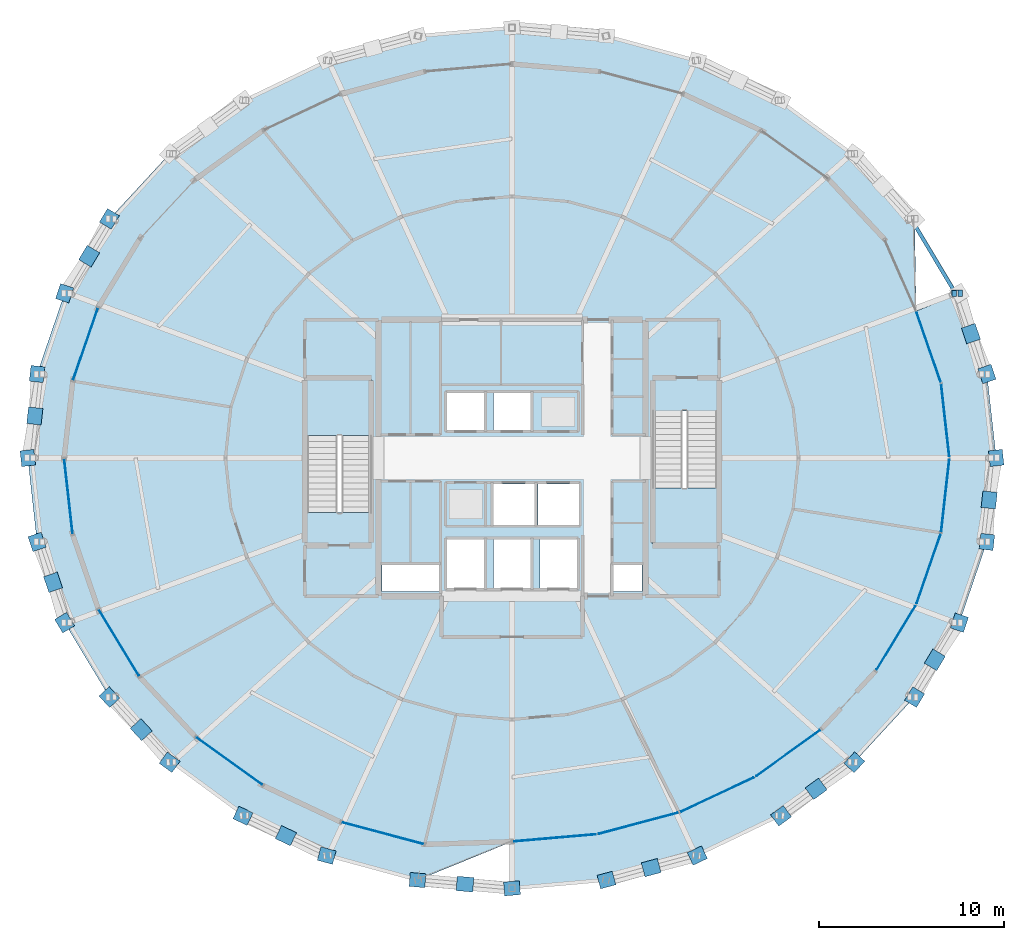
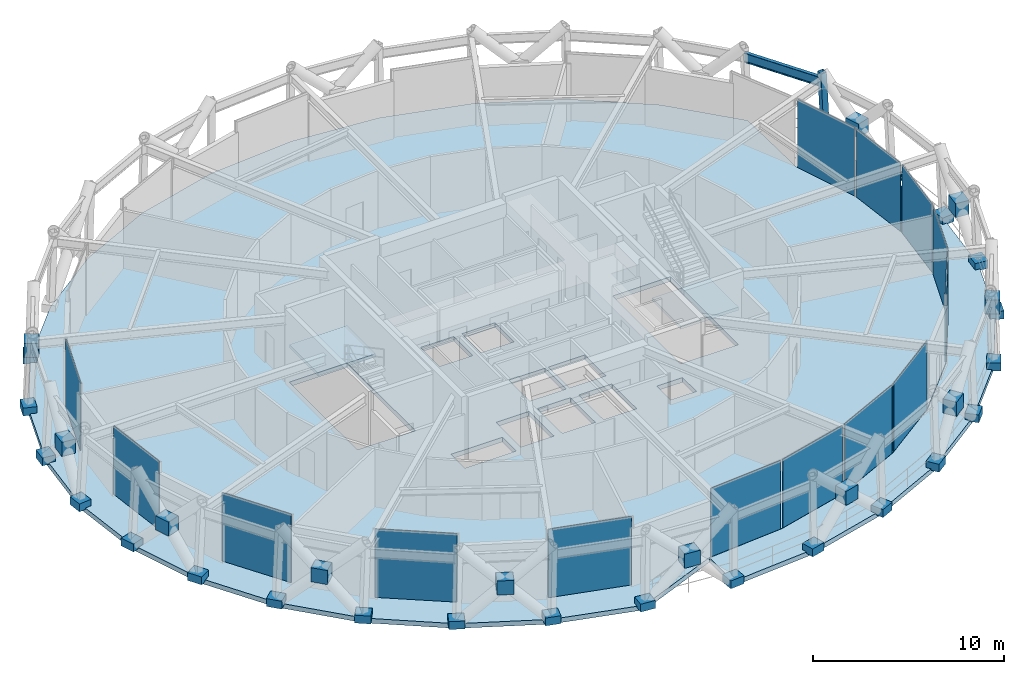
# One storey, part 23 of 29: 46 plates, 4 slabs, 1 beam, 1 member, 9 elements without a shape of their own.
"""IFC4 building model written with IfcOpenShell, lengths in metres."""

from ifc_helpers import new_model, si_unit, direction, frame, origin, origin_2d, place, context, subcontext, project, spatial, polyline, rectangle, hollow_rectangle, i_section, outline, extrude, material, layer, layer_set, material_profile, profile_set, type_object, element, aggregate, save


model = new_model("IFC4")

# Units and contexts
model_context = context("Model", 3, precision=1e-05, world=origin(), true_north=direction((0.0, 1.0)))
body_context = subcontext(model_context, "Body", "Model", "MODEL_VIEW")
ifc_project = project(units=[si_unit("LENGTHUNIT", "METRE"), si_unit("AREAUNIT", "SQUARE_METRE"), si_unit("VOLUMEUNIT", "CUBIC_METRE"), si_unit("PLANEANGLEUNIT", "RADIAN"), si_unit("MASSUNIT", "GRAM", prefix="KILO")], contexts=[model_context])

# Site, building, storey
site_placement = place(None, origin())
site = spatial("IfcSite", under=ifc_project, at=site_placement, CompositionType="ELEMENT")
building_placement = place(site_placement, origin())
building = spatial("IfcBuilding", under=site, at=building_placement, Name="Veldorina Hangang Commons", CompositionType="ELEMENT")
storey_placement = place(building_placement, frame((0.0, 0.0, 203.60009765625)))
storey = spatial("IfcBuildingStorey", under=building, at=storey_placement, Name="L53", CompositionType="ELEMENT", Elevation=203.60009765625)

# Beam
ifc_material_1 = material(Name="Steel SM420-TMC", Category="steel")
ifc_material_profile_1 = material_profile(ifc_material_1, i_section(OverallWidth=0.199951171875, OverallDepth=0.60009765625, WebThickness=0.010986328125, FlangeThickness=0.01708984375, FilletRadius=0.01806640625, at=origin_2d()), Name="H-600x200x11x17")
ifc_profile_set_1 = profile_set([ifc_material_profile_1], Name="Steel SM420-TMC")
beam_type = type_object("IfcBeamType", Name="BM-RB600", PredefinedType="BEAM", material=ifc_profile_set_1)
beam_placement = place(storey_placement, frame((55.9140625, 32.87548828125, 4.139892578125), z_axis=(-0.512310103749, 0.858800534232, 0.0), x_axis=(-0.858800534232, -0.512310103749, 0.0)))
element("IfcBeam", 1, at=beam_placement, inside=storey, type_object=beam_type, Name="L53 perimeter hoop ring beam 02", PredefinedType="BEAM", context=body_context, shape_type="SweptSolid", body=[
    extrude(i_section(OverallWidth=0.199951171875, OverallDepth=0.60009765625, WebThickness=0.010986328125, FlangeThickness=0.01708984375, FilletRadius=0.01806640625, at=origin_2d()), origin(), (0.0, 0.0, 1.0), 4.668701171875),
])

# Member
ifc_material_2 = material(Name="Steel SM355-TMC", Category="steel")
ifc_material_profile_2 = material_profile(ifc_material_2, hollow_rectangle(XDim=0.35009765625, YDim=0.35009765625, WallThickness=0.01611328125, at=origin_2d()), Name="SHS-350x350x16")
ifc_profile_set_2 = profile_set([ifc_material_profile_2], Name="Steel SM355-TMC")
member_type = type_object("IfcMemberType", Name="STR-SHS350", PredefinedType="STRUT", material=ifc_profile_set_2)
member_placement = place(storey_placement, frame((56.118896484375, 32.87939453125, 0.0), z_axis=(-0.049380150625, -0.000965249858, 0.998779589808), x_axis=(0.019543591677, -0.999809005773, 0.0)))
element("IfcMember", 2, at=member_placement, inside=storey, type_object=member_type, Name="L53 perimeter ring node post 02", PredefinedType="STRUT", context=body_context, shape_type="SweptSolid", body=[
    extrude(hollow_rectangle(XDim=0.35009765625, YDim=0.35009765625, WallThickness=0.01611328125, at=origin_2d()), origin(), (0.0, 0.0, 1.0), 4.8056640625),
])

# Curtain wall, plate
ifc_material_3 = material(Name="Glass Acoustic Laminated", Category="glass")
ifc_layer_1 = layer(ifc_material_3, 0.179931640625)
ifc_layer_set_1 = layer_set([ifc_layer_1], Name="Glass Acoustic Laminated")
curtain_wall_type = type_object("IfcCurtainWallType", Name="CW-SYS-SKY", PredefinedType="NOTDEFINED", material=ifc_layer_set_1)
curtain_wall_1_placement = place(storey_placement, origin())
curtain_wall_1 = element("IfcCurtainWall", 3, at=curtain_wall_1_placement, inside=storey, type_object=curtain_wall_type, Name="L53 unitised curtain wall CW-L53-R6", PredefinedType="NOTDEFINED")
ifc_material_4 = material(Name="Glass Low-E Triple IGU", Category="glass")
ifc_layer_2 = layer(ifc_material_4, 0.0400390625)
ifc_layer_set_2 = layer_set([ifc_layer_2], Name="Glass Low-E Triple IGU")
plate_type_1 = type_object("IfcPlateType", Name="CW-PNL-VIS", PredefinedType="CURTAIN_PANEL", material=ifc_layer_set_2)
plate_1_placement = place(storey_placement, frame((9.0048828125, 30.13671875, 0.014892578125), z_axis=(0.0, 0.0, 1.0), x_axis=(-0.325964183778, -0.945382118983, 0.0)))
plate_1 = element("IfcPlate", 4, at=plate_1_placement, type_object=plate_type_1, Name="CW-L53-R6 facet 1 glazed vision panel", PredefinedType="CURTAIN_PANEL", context=body_context, shape_type="SweptSolid", body=[
    extrude(rectangle(XDim=4.03515625, YDim=0.0400390625, at=origin_2d()), origin(), (0.0, 0.0, 1.0), 4.3701171875),
])
aggregate(curtain_wall_1, [plate_1])

curtain_wall_2_placement = place(storey_placement, origin())
curtain_wall_2 = element("IfcCurtainWall", 5, at=curtain_wall_2_placement, inside=storey, type_object=curtain_wall_type, Name="L53 unitised curtain wall CW-L53-R7", PredefinedType="NOTDEFINED")
plate_2_placement = place(storey_placement, frame((8.0859375, 21.927734375, 0.014892578125), z_axis=(0.0, 0.0, 1.0), x_axis=(0.111260795497, -0.993791243363, 0.0)))
plate_2 = element("IfcPlate", 6, at=plate_2_placement, type_object=plate_type_1, Name="CW-L53-R7 facet 1 glazed vision panel", PredefinedType="CURTAIN_PANEL", context=body_context, shape_type="SweptSolid", body=[
    extrude(rectangle(XDim=3.990234375, YDim=0.0400390625, at=origin_2d()), origin(), (0.0, 0.0, 1.0), 4.3701171875),
])
aggregate(curtain_wall_2, [plate_2])

curtain_wall_3_placement = place(storey_placement, origin())
curtain_wall_3 = element("IfcCurtainWall", 7, at=curtain_wall_3_placement, inside=storey, type_object=curtain_wall_type, Name="L53 unitised curtain wall CW-L53-R8", PredefinedType="NOTDEFINED")
plate_3_placement = place(storey_placement, frame((10.8076171875, 14.0341796875, 0.014892578125), z_axis=(0.0, 0.0, 1.0), x_axis=(0.519235734041, -0.85463106221, 0.0)))
plate_3 = element("IfcPlate", 8, at=plate_3_placement, type_object=plate_type_1, Name="CW-L53-R8 facet 1 glazed vision panel", PredefinedType="CURTAIN_PANEL", context=body_context, shape_type="SweptSolid", body=[
    extrude(rectangle(XDim=4.117431640625, YDim=0.0400390625, at=origin_2d()), origin(), (0.0, 0.0, 1.0), 4.3701171875),
])
aggregate(curtain_wall_3, [plate_3])

curtain_wall_4_placement = place(storey_placement, origin())
curtain_wall_4 = element("IfcCurtainWall", 9, at=curtain_wall_4_placement, inside=storey, type_object=curtain_wall_type, Name="L53 unitised curtain wall CW-L53-R9", PredefinedType="NOTDEFINED")
plate_4_placement = place(storey_placement, frame((16.755615234375, 7.657958984375, 0.014892578125), z_axis=(0.0, 0.0, 1.0), x_axis=(0.810767641427, -0.58536811633, 0.0)))
plate_4 = element("IfcPlate", 10, at=plate_4_placement, type_object=plate_type_1, Name="CW-L53-R9 facet 1 glazed vision panel", PredefinedType="CURTAIN_PANEL", context=body_context, shape_type="SweptSolid", body=[
    extrude(rectangle(XDim=4.3330078125, YDim=0.0400390625, at=origin_2d()), origin(), (0.0, 0.0, 1.0), 4.3701171875),
])
aggregate(curtain_wall_4, [plate_4])

curtain_wall_5_placement = place(storey_placement, origin())
curtain_wall_5 = element("IfcCurtainWall", 11, at=curtain_wall_5_placement, inside=storey, type_object=curtain_wall_type, Name="L53 unitised curtain wall CW-L53-R10", PredefinedType="NOTDEFINED")
plate_5_placement = place(storey_placement, frame((25.0244140625, 3.76953125, 0.014892578125), z_axis=(0.0, 0.0, 1.0), x_axis=(0.966187331518, -0.257841114671, 0.0)))
plate_5 = element("IfcPlate", 12, at=plate_5_placement, type_object=plate_type_1, Name="CW-L53-R10 facet 1 glazed vision panel", PredefinedType="CURTAIN_PANEL", context=body_context, shape_type="SweptSolid", body=[
    extrude(rectangle(XDim=4.508056640625, YDim=0.0400390625, at=origin_2d()), origin(), (0.0, 0.0, 1.0), 4.3701171875),
])
aggregate(curtain_wall_5, [plate_5])

# Curtain wall, plates
curtain_wall_6_placement = place(storey_placement, origin())
curtain_wall_6 = element("IfcCurtainWall", 13, at=curtain_wall_6_placement, inside=storey, type_object=curtain_wall_type, Name="L53 unitised curtain wall CW-L53-R11", PredefinedType="NOTDEFINED")
plate_6_placement = place(storey_placement, frame((34.30078125, 3.515625, 0.014892578125), z_axis=(0.0, 0.0, 1.0), x_axis=(0.996291430488, 0.086042928448, 0.0)))
plate_6 = element("IfcPlate", 14, at=plate_6_placement, type_object=plate_type_1, Name="CW-L53-R11 facet 1 glazed vision panel", PredefinedType="CURTAIN_PANEL", context=body_context, shape_type="SweptSolid", body=[
    extrude(rectangle(XDim=4.4384765625, YDim=0.0400390625, at=origin_2d()), origin(), (0.0, 0.0, 1.0), 4.3701171875),
])
plate_7_placement = place(storey_placement, frame((38.813720703125, 4.302978515625, 0.014892578125), z_axis=(0.0, 0.0, 1.0), x_axis=(0.966394028222, 0.257065326751, 0.0)))
plate_7 = element("IfcPlate", 15, at=plate_7_placement, type_object=plate_type_1, Name="CW-L53-R11 facet 2 glazed vision panel", PredefinedType="CURTAIN_PANEL", context=body_context, shape_type="SweptSolid", body=[
    extrude(rectangle(XDim=4.3984375, YDim=0.0400390625, at=origin_2d()), origin(), (0.0, 0.0, 1.0), 4.3701171875),
])
plate_8_placement = place(storey_placement, frame((43.06494140625, 5.846923828125, 0.014892578125), z_axis=(0.0, 0.0, 1.0), x_axis=(0.905472527907, 0.424404878868, 0.0)))
plate_8 = element("IfcPlate", 16, at=plate_8_placement, type_object=plate_type_1, Name="CW-L53-R11 facet 3 glazed vision panel", PredefinedType="CURTAIN_PANEL", context=body_context, shape_type="SweptSolid", body=[
    extrude(rectangle(XDim=4.323486328125, YDim=0.0400390625, at=origin_2d()), origin(), (0.0, 0.0, 1.0), 4.3701171875),
])
plate_9_placement = place(storey_placement, frame((46.890869140625, 8.0888671875, 0.014892578125), z_axis=(0.0, 0.0, 1.0), x_axis=(0.811665745675, 0.584122176687, 0.0)))
plate_9 = element("IfcPlate", 17, at=plate_9_placement, type_object=plate_type_1, Name="CW-L53-R11 facet 4 glazed vision panel", PredefinedType="CURTAIN_PANEL", context=body_context, shape_type="SweptSolid", body=[
    extrude(rectangle(XDim=4.223388671875, YDim=0.0400390625, at=origin_2d()), origin(), (0.0, 0.0, 1.0), 4.3701171875),
])
aggregate(curtain_wall_6, [plate_6, plate_7, plate_8, plate_9])

curtain_wall_7_placement = place(storey_placement, origin())
curtain_wall_7 = element("IfcCurtainWall", 18, at=curtain_wall_7_placement, inside=storey, type_object=curtain_wall_type, Name="L53 unitised curtain wall CW-L53-R12", PredefinedType="NOTDEFINED")
plate_10_placement = place(storey_placement, frame((52.700927734375, 14.297119140625, 0.014892578125), z_axis=(0.0, 0.0, 1.0), x_axis=(0.520458324188, 0.853887072617, 0.0)))
plate_10 = element("IfcPlate", 19, at=plate_10_placement, type_object=plate_type_1, Name="CW-L53-R12 facet 1 glazed vision panel", PredefinedType="CURTAIN_PANEL", context=body_context, shape_type="SweptSolid", body=[
    extrude(rectangle(XDim=4.0078125, YDim=0.0400390625, at=origin_2d()), origin(), (0.0, 0.0, 1.0), 4.3701171875),
])
plate_11_placement = place(storey_placement, frame((54.4619140625, 18.02490234375, 0.014892578125), z_axis=(0.0, 0.0, 1.0), x_axis=(0.32692101838, 0.945051664059, 0.0)))
plate_11 = element("IfcPlate", 20, at=plate_11_placement, type_object=plate_type_1, Name="CW-L53-R12 facet 2 glazed vision panel", PredefinedType="CURTAIN_PANEL", context=body_context, shape_type="SweptSolid", body=[
    extrude(rectangle(XDim=3.925537109375, YDim=0.0400390625, at=origin_2d()), origin(), (0.0, 0.0, 1.0), 4.3701171875),
])
plate_12_placement = place(storey_placement, frame((55.359619140625, 21.982421875, 0.014892578125), z_axis=(0.0, 0.0, 1.0), x_axis=(0.111607687297, 0.993752345475, 0.0)))
plate_12 = element("IfcPlate", 21, at=plate_12_placement, type_object=plate_type_1, Name="CW-L53-R12 facet 3 glazed vision panel", PredefinedType="CURTAIN_PANEL", context=body_context, shape_type="SweptSolid", body=[
    extrude(rectangle(XDim=3.880615234375, YDim=0.0400390625, at=origin_2d()), origin(), (0.0, 0.0, 1.0), 4.3701171875),
])
plate_13_placement = place(storey_placement, frame((55.359619140625, 26.017578125, 0.014892578125), z_axis=(0.0, 0.0, 1.0), x_axis=(-0.111607687297, 0.993752345475, 0.0)))
plate_13 = element("IfcPlate", 22, at=plate_13_placement, type_object=plate_type_1, Name="CW-L53-R12 facet 4 glazed vision panel", PredefinedType="CURTAIN_PANEL", context=body_context, shape_type="SweptSolid", body=[
    extrude(rectangle(XDim=3.880615234375, YDim=0.0400390625, at=origin_2d()), origin(), (0.0, 0.0, 1.0), 4.3701171875),
])
plate_14_placement = place(storey_placement, frame((54.4619140625, 29.97509765625, 0.014892578125), z_axis=(0.0, 0.0, 1.0), x_axis=(-0.32692101838, 0.945051664059, 0.0)))
plate_14 = element("IfcPlate", 23, at=plate_14_placement, type_object=plate_type_1, Name="CW-L53-R12 facet 5 glazed vision panel", PredefinedType="CURTAIN_PANEL", context=body_context, shape_type="SweptSolid", body=[
    extrude(rectangle(XDim=3.925537109375, YDim=0.0400390625, at=origin_2d()), origin(), (0.0, 0.0, 1.0), 4.3701171875),
])
aggregate(curtain_wall_7, [plate_10, plate_11, plate_12, plate_13, plate_14])

# Plates
ifc_material_5 = material(Name="Steel SM460-TMC", Category="steel")
ifc_layer_3 = layer(ifc_material_5, 0.035888671875)
ifc_layer_set_3 = layer_set([ifc_layer_3], Name="Steel SM460-TMC")
plate_type_2 = type_object("IfcPlateType", Name="PL-STAR-36", PredefinedType="USERDEFINED", material=ifc_layer_set_3)
for number, where, z_axis, x_axis, name in (
    (24, (58.106201171875, 24.0, -0.090087890625), (0.0, 0.0, 1.0), (-0.110133303739, 0.993916825196, 0.0), "L53 diagrid star-node gusset plate 00"),
    (25, (57.6044921875, 28.526611328125, -0.090087890625), (0.0, 0.0, 1.0), (-0.32300909235, 0.946395861286, 0.0), "L53 diagrid star-node gusset plate 01"),
):
    element("IfcPlate", number, at=place(storey_placement, frame(where, z_axis=z_axis, x_axis=x_axis)), inside=storey, type_object=plate_type_2, Name=name, ObjectType="GUSSET PLATE", PredefinedType="USERDEFINED", context=body_context, shape_type="SweptSolid", body=[
        extrude(rectangle(XDim=0.85009765625, YDim=0.75, at=origin_2d()), origin(), (0.0, 0.0, 1.0), 0.5),
    ])
plate_15_placement = place(storey_placement, frame((56.742431640625, 30.702392578125, 1.95166015625), z_axis=(0.0, 0.0, 1.0), x_axis=(-0.32300909235, 0.946395861286, 0.0)))
element("IfcPlate", 26, at=plate_15_placement, inside=storey, type_object=plate_type_2, Name="L53 diagrid X-crossing star-node gusset plate 01", ObjectType="GUSSET PLATE", PredefinedType="USERDEFINED", context=body_context, shape_type="SweptSolid", body=[
    extrude(rectangle(XDim=0.89990234375, YDim=0.780029296875, at=origin_2d()), origin(), (0.0, 0.0, 1.0), 0.89990234375),
])
plate_16_placement = place(storey_placement, frame((10.293701171875, 36.890869140625, -0.090087890625), z_axis=(0.0, 0.0, 1.0), x_axis=(-0.515382122411, -0.85696048211, 0.0)))
element("IfcPlate", 27, at=plate_16_placement, inside=storey, type_object=plate_type_2, Name="L53 diagrid star-node gusset plate 13", ObjectType="GUSSET PLATE", PredefinedType="USERDEFINED", context=body_context, shape_type="SweptSolid", body=[
    extrude(rectangle(XDim=0.85009765625, YDim=0.75, at=origin_2d()), origin(), (0.0, 0.0, 1.0), 0.5),
])
plate_17_placement = place(storey_placement, frame((9.204345703125, 34.8798828125, 1.95361328125), z_axis=(0.0, 0.0, 1.0), x_axis=(-0.515382122411, -0.85696048211, 0.0)))
element("IfcPlate", 28, at=plate_17_placement, inside=storey, type_object=plate_type_2, Name="L53 diagrid X-crossing star-node gusset plate 13", ObjectType="GUSSET PLATE", PredefinedType="USERDEFINED", context=body_context, shape_type="SweptSolid", body=[
    extrude(rectangle(XDim=0.89990234375, YDim=0.780029296875, at=origin_2d()), origin(), (0.0, 0.0, 1.0), 0.89990234375),
])
for number, where, z_axis, x_axis, name in (
    (29, (7.881103515625, 32.87939453125, -0.090087890625), (0.0, 0.0, 1.0), (-0.32300909235, -0.946395861286, 0.0), "L53 diagrid star-node gusset plate 14"),
    (30, (6.3955078125, 28.526611328125, -0.090087890625), (0.0, 0.0, 1.0), (-0.110133303739, -0.993916825196, 0.0), "L53 diagrid star-node gusset plate 15"),
):
    element("IfcPlate", number, at=place(storey_placement, frame(where, z_axis=z_axis, x_axis=x_axis)), inside=storey, type_object=plate_type_2, Name=name, ObjectType="GUSSET PLATE", PredefinedType="USERDEFINED", context=body_context, shape_type="SweptSolid", body=[
        extrude(rectangle(XDim=0.85009765625, YDim=0.75, at=origin_2d()), origin(), (0.0, 0.0, 1.0), 0.5),
    ])
plate_18_placement = place(storey_placement, frame((6.273193359375, 26.2626953125, 1.95068359375), z_axis=(0.0, 0.0, 1.0), x_axis=(-0.110133303739, -0.993916825196, 0.0)))
element("IfcPlate", 31, at=plate_18_placement, inside=storey, type_object=plate_type_2, Name="L53 diagrid X-crossing star-node gusset plate 15", ObjectType="GUSSET PLATE", PredefinedType="USERDEFINED", context=body_context, shape_type="SweptSolid", body=[
    extrude(rectangle(XDim=0.89990234375, YDim=0.780029296875, at=origin_2d()), origin(), (0.0, 0.0, 1.0), 0.89990234375),
])
for number, where, z_axis, x_axis, name in (
    (32, (5.893798828125, 24.0, -0.090087890625), (0.0, 0.0, 1.0), (0.110133303739, -0.993916825196, 0.0), "L53 diagrid star-node gusset plate 16"),
    (33, (6.3955078125, 19.473388671875, -0.090087890625), (0.0, 0.0, 1.0), (0.32300909235, -0.946395861286, 0.0), "L53 diagrid star-node gusset plate 17"),
):
    element("IfcPlate", number, at=place(storey_placement, frame(where, z_axis=z_axis, x_axis=x_axis)), inside=storey, type_object=plate_type_2, Name=name, ObjectType="GUSSET PLATE", PredefinedType="USERDEFINED", context=body_context, shape_type="SweptSolid", body=[
        extrude(rectangle(XDim=0.85009765625, YDim=0.75, at=origin_2d()), origin(), (0.0, 0.0, 1.0), 0.5),
    ])
plate_19_placement = place(storey_placement, frame((7.257568359375, 17.297607421875, 1.95166015625), z_axis=(0.0, 0.0, 1.0), x_axis=(0.32300909235, -0.946395861286, 0.0)))
element("IfcPlate", 34, at=plate_19_placement, inside=storey, type_object=plate_type_2, Name="L53 diagrid X-crossing star-node gusset plate 17", ObjectType="GUSSET PLATE", PredefinedType="USERDEFINED", context=body_context, shape_type="SweptSolid", body=[
    extrude(rectangle(XDim=0.89990234375, YDim=0.780029296875, at=origin_2d()), origin(), (0.0, 0.0, 1.0), 0.89990234375),
])
for number, where, z_axis, x_axis, name in (
    (35, (7.881103515625, 15.12060546875, -0.090087890625), (0.0, 0.0, 1.0), (0.515382122411, -0.85696048211, 0.0), "L53 diagrid star-node gusset plate 18"),
    (36, (10.293701171875, 11.109130859375, -0.090087890625), (0.0, 0.0, 1.0), (0.678390516628, -0.734701508743, 0.0), "L53 diagrid star-node gusset plate 19"),
):
    element("IfcPlate", number, at=place(storey_placement, frame(where, z_axis=z_axis, x_axis=x_axis)), inside=storey, type_object=plate_type_2, Name=name, ObjectType="GUSSET PLATE", PredefinedType="USERDEFINED", context=body_context, shape_type="SweptSolid", body=[
        extrude(rectangle(XDim=0.85009765625, YDim=0.75, at=origin_2d()), origin(), (0.0, 0.0, 1.0), 0.5),
    ])
plate_20_placement = place(storey_placement, frame((12.011962890625, 9.35107421875, 1.955810546875), z_axis=(0.0, 0.0, 1.0), x_axis=(0.678390516628, -0.734701508743, 0.0)))
element("IfcPlate", 37, at=plate_20_placement, inside=storey, type_object=plate_type_2, Name="L53 diagrid X-crossing star-node gusset plate 19", ObjectType="GUSSET PLATE", PredefinedType="USERDEFINED", context=body_context, shape_type="SweptSolid", body=[
    extrude(rectangle(XDim=0.89990234375, YDim=0.780029296875, at=origin_2d()), origin(), (0.0, 0.0, 1.0), 0.89990234375),
])
for number, where, z_axis, x_axis, name in (
    (38, (13.540283203125, 7.593017578125, -0.090087890625), (0.0, 0.0, 1.0), (0.807907608691, -0.58930916828, 0.0), "L53 diagrid star-node gusset plate 20"),
    (39, (17.49609375, 4.70751953125, -0.090087890625), (0.0, 0.0, 1.0), (0.903252926582, -0.429108553423, 0.0), "L53 diagrid star-node gusset plate 21"),
):
    element("IfcPlate", number, at=place(storey_placement, frame(where, z_axis=z_axis, x_axis=x_axis)), inside=storey, type_object=plate_type_2, Name=name, ObjectType="GUSSET PLATE", PredefinedType="USERDEFINED", context=body_context, shape_type="SweptSolid", body=[
        extrude(rectangle(XDim=0.85009765625, YDim=0.75, at=origin_2d()), origin(), (0.0, 0.0, 1.0), 0.5),
    ])
plate_21_placement = place(storey_placement, frame((19.8115234375, 3.636474609375, 1.959716796875), z_axis=(0.0, 0.0, 1.0), x_axis=(0.903252926582, -0.429108553423, 0.0)))
element("IfcPlate", 40, at=plate_21_placement, inside=storey, type_object=plate_type_2, Name="L53 diagrid X-crossing star-node gusset plate 21", ObjectType="GUSSET PLATE", PredefinedType="USERDEFINED", context=body_context, shape_type="SweptSolid", body=[
    extrude(rectangle(XDim=0.89990234375, YDim=0.780029296875, at=origin_2d()), origin(), (0.0, 0.0, 1.0), 0.89990234375),
])
for number, where, z_axis, x_axis, name in (
    (41, (22.009521484375, 2.563232421875, -0.090087890625), (0.0, 0.0, 1.0), (0.965522626361, -0.260319146404, 0.0), "L53 diagrid star-node gusset plate 22"),
    (42, (26.906982421875, 1.242919921875, -0.090087890625), (0.0, 0.0, 1.0), (0.996191655175, -0.087190516449, 0.0), "L53 diagrid star-node gusset plate 23"),
):
    element("IfcPlate", number, at=place(storey_placement, frame(where, z_axis=z_axis, x_axis=x_axis)), inside=storey, type_object=plate_type_2, Name=name, ObjectType="GUSSET PLATE", PredefinedType="USERDEFINED", context=body_context, shape_type="SweptSolid", body=[
        extrude(rectangle(XDim=0.85009765625, YDim=0.75, at=origin_2d()), origin(), (0.0, 0.0, 1.0), 0.5),
    ])
plate_22_placement = place(storey_placement, frame((29.466064453125, 1.02490234375, 1.961669921875), z_axis=(0.0, 0.0, 1.0), x_axis=(0.996191655175, -0.087190516449, 0.0)))
element("IfcPlate", 43, at=plate_22_placement, inside=storey, type_object=plate_type_2, Name="L53 diagrid X-crossing star-node gusset plate 23", ObjectType="GUSSET PLATE", PredefinedType="USERDEFINED", context=body_context, shape_type="SweptSolid", body=[
    extrude(rectangle(XDim=0.89990234375, YDim=0.780029296875, at=origin_2d()), origin(), (0.0, 0.0, 1.0), 0.89990234375),
])
for number, where, z_axis, x_axis, name in (
    (44, (32.0, 0.797119140625, -0.090087890625), (0.0, 0.0, 1.0), (0.996191655175, 0.087190516449, 0.0), "L53 diagrid star-node gusset plate 24"),
    (45, (37.093017578125, 1.242919921875, -0.090087890625), (0.0, 0.0, 1.0), (0.965522626361, 0.260319146404, 0.0), "L53 diagrid star-node gusset plate 25"),
):
    element("IfcPlate", number, at=place(storey_placement, frame(where, z_axis=z_axis, x_axis=x_axis)), inside=storey, type_object=plate_type_2, Name=name, ObjectType="GUSSET PLATE", PredefinedType="USERDEFINED", context=body_context, shape_type="SweptSolid", body=[
        extrude(rectangle(XDim=0.85009765625, YDim=0.75, at=origin_2d()), origin(), (0.0, 0.0, 1.0), 0.5),
    ])
plate_23_placement = place(storey_placement, frame((39.503662109375, 1.91162109375, 1.9609375), z_axis=(0.0, 0.0, 1.0), x_axis=(0.965522626361, 0.260319146404, 0.0)))
element("IfcPlate", 46, at=plate_23_placement, inside=storey, type_object=plate_type_2, Name="L53 diagrid X-crossing star-node gusset plate 25", ObjectType="GUSSET PLATE", PredefinedType="USERDEFINED", context=body_context, shape_type="SweptSolid", body=[
    extrude(rectangle(XDim=0.89990234375, YDim=0.780029296875, at=origin_2d()), origin(), (0.0, 0.0, 1.0), 0.89990234375),
])
for number, where, z_axis, x_axis, name in (
    (47, (41.990478515625, 2.563232421875, -0.090087890625), (0.0, 0.0, 1.0), (0.903252926582, 0.429108553423, 0.0), "L53 diagrid star-node gusset plate 26"),
    (48, (46.50390625, 4.70751953125, -0.090087890625), (0.0, 0.0, 1.0), (0.807907608691, 0.58930916828, 0.0), "L53 diagrid star-node gusset plate 27"),
):
    element("IfcPlate", number, at=place(storey_placement, frame(where, z_axis=z_axis, x_axis=x_axis)), inside=storey, type_object=plate_type_2, Name=name, ObjectType="GUSSET PLATE", PredefinedType="USERDEFINED", context=body_context, shape_type="SweptSolid", body=[
        extrude(rectangle(XDim=0.85009765625, YDim=0.75, at=origin_2d()), origin(), (0.0, 0.0, 1.0), 0.5),
    ])
plate_24_placement = place(storey_placement, frame((48.397216796875, 6.1591796875, 1.957763671875), z_axis=(0.0, 0.0, 1.0), x_axis=(0.807907608691, 0.58930916828, 0.0)))
element("IfcPlate", 49, at=plate_24_placement, inside=storey, type_object=plate_type_2, Name="L53 diagrid X-crossing star-node gusset plate 27", ObjectType="GUSSET PLATE", PredefinedType="USERDEFINED", context=body_context, shape_type="SweptSolid", body=[
    extrude(rectangle(XDim=0.89990234375, YDim=0.780029296875, at=origin_2d()), origin(), (0.0, 0.0, 1.0), 0.89990234375),
])
for number, where, z_axis, x_axis, name in (
    (50, (50.459716796875, 7.593017578125, -0.090087890625), (0.0, 0.0, 1.0), (0.678390516628, 0.734701508743, 0.0), "L53 diagrid star-node gusset plate 28"),
    (51, (53.706298828125, 11.109130859375, -0.090087890625), (0.0, 0.0, 1.0), (0.515382122411, 0.85696048211, 0.0), "L53 diagrid star-node gusset plate 29"),
):
    element("IfcPlate", number, at=place(storey_placement, frame(where, z_axis=z_axis, x_axis=x_axis)), inside=storey, type_object=plate_type_2, Name=name, ObjectType="GUSSET PLATE", PredefinedType="USERDEFINED", context=body_context, shape_type="SweptSolid", body=[
        extrude(rectangle(XDim=0.85009765625, YDim=0.75, at=origin_2d()), origin(), (0.0, 0.0, 1.0), 0.5),
    ])
plate_25_placement = place(storey_placement, frame((54.795654296875, 13.1201171875, 1.95361328125), z_axis=(0.0, 0.0, 1.0), x_axis=(0.515382122411, 0.85696048211, 0.0)))
element("IfcPlate", 52, at=plate_25_placement, inside=storey, type_object=plate_type_2, Name="L53 diagrid X-crossing star-node gusset plate 29", ObjectType="GUSSET PLATE", PredefinedType="USERDEFINED", context=body_context, shape_type="SweptSolid", body=[
    extrude(rectangle(XDim=0.89990234375, YDim=0.780029296875, at=origin_2d()), origin(), (0.0, 0.0, 1.0), 0.89990234375),
])
for number, where, z_axis, x_axis, name in (
    (53, (56.118896484375, 15.12060546875, -0.090087890625), (0.0, 0.0, 1.0), (0.32300909235, 0.946395861286, 0.0), "L53 diagrid star-node gusset plate 30"),
    (54, (57.6044921875, 19.473388671875, -0.090087890625), (0.0, 0.0, 1.0), (0.110133303739, 0.993916825196, 0.0), "L53 diagrid star-node gusset plate 31"),
):
    element("IfcPlate", number, at=place(storey_placement, frame(where, z_axis=z_axis, x_axis=x_axis)), inside=storey, type_object=plate_type_2, Name=name, ObjectType="GUSSET PLATE", PredefinedType="USERDEFINED", context=body_context, shape_type="SweptSolid", body=[
        extrude(rectangle(XDim=0.85009765625, YDim=0.75, at=origin_2d()), origin(), (0.0, 0.0, 1.0), 0.5),
    ])
plate_26_placement = place(storey_placement, frame((57.726806640625, 21.7373046875, 1.95068359375), z_axis=(0.0, 0.0, 1.0), x_axis=(0.110133303739, 0.993916825196, 0.0)))
element("IfcPlate", 55, at=plate_26_placement, inside=storey, type_object=plate_type_2, Name="L53 diagrid X-crossing star-node gusset plate 31", ObjectType="GUSSET PLATE", PredefinedType="USERDEFINED", context=body_context, shape_type="SweptSolid", body=[
    extrude(rectangle(XDim=0.89990234375, YDim=0.780029296875, at=origin_2d()), origin(), (0.0, 0.0, 1.0), 0.89990234375),
])

# Slabs
ifc_material_6 = material(Name="Concrete C45/55", Category="concrete")
ifc_layer_4 = layer(ifc_material_6, 0.300048828125)
ifc_layer_set_4 = layer_set([ifc_layer_4], Name="Concrete C45/55")
slab_type_1 = type_object("IfcSlabType", Name="SL-FLR-300", PredefinedType="FLOOR", material=ifc_layer_set_4)
slab_1_placement = place(storey_placement, frame((0.0, 0.0, -0.300048828125)))
element("IfcSlab", 56, at=slab_1_placement, inside=storey, type_object=slab_type_1, Name="L53 tower structural floor slab", PredefinedType="FLOOR", context=body_context, shape_type="SweptSolid", body=[
    extrude(outline(polyline([(55.586181640625, 24.0), (55.1328125, 28.03515625), (53.790771484375, 31.9150390625), (53.706298828125, 36.890869140625), (50.459716796875, 40.406982421875), (46.50390625, 43.29248046875), (41.990478515625, 45.436767578125), (37.093017578125, 46.757080078125), (32.0, 47.202880859375), (26.906982421875, 46.757080078125), (22.009521484375, 45.436767578125), (17.49609375, 43.29248046875), (13.540283203125, 40.406982421875), (10.293701171875, 36.890869140625), (7.881103515625, 32.87939453125), (6.3955078125, 28.526611328125), (5.893798828125, 24.0), (6.3955078125, 19.473388671875), (7.881103515625, 15.12060546875), (10.293701171875, 11.109130859375), (13.540283203125, 7.593017578125), (17.49609375, 4.70751953125), (22.009521484375, 2.563232421875), (26.906982421875, 1.242919921875), (32.0, 3.31689453125), (36.601318359375, 3.71435546875), (41.02587890625, 4.891357421875), (45.103759765625, 6.802734375), (48.677978515625, 9.375), (51.611083984375, 12.509033203125), (53.790771484375, 16.0849609375), (55.1328125, 19.96484375), (55.586181640625, 24.0)]), holes=[polyline([(20.949951171875, 21.05810546875), (20.949951171875, 28.199951171875), (24.449951171875, 28.199951171875), (24.449951171875, 21.05810546875), (20.949951171875, 21.05810546875)]), polyline([(43.050048828125, 26.5419921875), (43.050048828125, 19.39990234375), (39.550048828125, 19.39990234375), (39.550048828125, 26.5419921875), (43.050048828125, 26.5419921875)]), polyline([(28.5, 27.5), (30.5, 27.5), (30.5, 25.5), (28.5, 25.5), (28.5, 27.5)]), polyline([(31.0, 27.5), (33.0, 27.5), (33.0, 25.5), (31.0, 25.5), (31.0, 27.5)]), polyline([(31.0, 22.60009765625), (33.199951171875, 22.60009765625), (33.199951171875, 20.39990234375), (31.0, 20.39990234375), (31.0, 22.60009765625)]), polyline([(33.39990234375, 22.60009765625), (35.60009765625, 22.60009765625), (35.60009765625, 20.39990234375), (33.39990234375, 20.39990234375), (33.39990234375, 22.60009765625)]), polyline([(28.5, 19.60009765625), (30.5, 19.60009765625), (30.5, 17.0), (28.5, 17.0), (28.5, 19.60009765625)]), polyline([(31.0, 19.60009765625), (33.0, 19.60009765625), (33.0, 17.0), (31.0, 17.0), (31.0, 19.60009765625)]), polyline([(33.5, 19.60009765625), (35.5, 19.60009765625), (35.5, 17.0), (33.5, 17.0), (33.5, 19.60009765625)]), polyline([(25.0, 18.25), (28.10009765625, 18.25), (28.10009765625, 16.800048828125), (25.0, 16.800048828125), (25.0, 18.25)]), polyline([(37.449951171875, 18.25), (39.0, 18.25), (39.0, 16.800048828125), (37.449951171875, 16.800048828125), (37.449951171875, 18.25)])]), origin(), (0.0, 0.0, 1.0), 0.300048828125),
])
slab_2_placement = place(storey_placement, frame((0.0, 0.0, -0.300048828125)))
element("IfcSlab", 57, at=slab_2_placement, inside=storey, type_object=slab_type_1, Name="L53 sky-garden loggia outdoor slab", PredefinedType="FLOOR", context=body_context, shape_type="SweptSolid", body=[
    extrude(outline(polyline([(56.118896484375, 32.87939453125), (57.6044921875, 28.526611328125), (58.106201171875, 24.0), (57.6044921875, 19.473388671875), (56.118896484375, 15.12060546875), (53.706298828125, 11.109130859375), (50.459716796875, 7.593017578125), (46.50390625, 4.70751953125), (41.990478515625, 2.563232421875), (37.093017578125, 1.242919921875), (32.0, 0.797119140625), (32.0, 3.30078125), (32.003662109375, 3.30224609375), (36.602783203125, 3.699462890625), (36.60400390625, 3.69970703125), (36.605224609375, 3.699951171875), (41.02978515625, 4.876953125), (41.031005859375, 4.877197265625), (41.032470703125, 4.877685546875), (45.110107421875, 6.7890625), (45.111328125, 6.789794921875), (45.112548828125, 6.79052734375), (48.686767578125, 9.36279296875), (48.687744140625, 9.363525390625), (48.68896484375, 9.36474609375), (51.6220703125, 12.498779296875), (51.623046875, 12.5), (51.623779296875, 12.501220703125), (53.803466796875, 16.0771484375), (53.80419921875, 16.07861328125), (53.804931640625, 16.080078125), (55.147216796875, 19.9599609375), (55.1474609375, 19.961669921875), (55.147705078125, 19.963134765625), (55.60107421875, 23.998291015625), (55.60107421875, 24.0), (55.60107421875, 24.001708984375), (55.147705078125, 28.036865234375), (55.1474609375, 28.038330078125), (55.147216796875, 28.0400390625), (53.8056640625, 31.91748046875), (53.8056640625, 31.921142578125), (56.118896484375, 32.87939453125)])), origin(), (0.0, 0.0, 1.0), 0.300048828125),
])

# Stair, slab
ifc_material_7 = material(Name="Concrete C40/50", Category="concrete")
stair_type = type_object("IfcStairType", Name="STR-DOG-1650-28R", PredefinedType="HALF_TURN_STAIR", material=ifc_material_7)
stair_1_placement = place(storey_placement, origin())
stair_1 = element("IfcStair", 58, at=stair_1_placement, inside=storey, type_object=stair_type, Name="L53 Exit stair ST-1", PredefinedType="HALF_TURN_STAIR")
ifc_layer_5 = layer(ifc_material_7, 0.199951171875)
ifc_layer_set_5 = layer_set([ifc_layer_5], Name="Concrete C40/50")
slab_type_2 = type_object("IfcSlabType", Name="SL-LND-200", PredefinedType="LANDING", material=ifc_layer_set_5)
slab_3_placement = place(storey_placement, frame((0.0, 0.0, 2.199951171875)))
slab_3 = element("IfcSlab", 59, at=slab_3_placement, type_object=slab_type_2, Name="ST-1 landing 1", PredefinedType="LANDING", context=body_context, shape_type="SweptSolid", body=[
    extrude(outline(polyline([(24.449951171875, 25.2099609375), (24.449951171875, 28.199951171875), (20.949951171875, 28.199951171875), (20.949951171875, 25.2099609375), (24.449951171875, 25.2099609375)])), origin(), (0.0, 0.0, 1.0), 0.199951171875),
])
aggregate(stair_1, [slab_3])

stair_2_placement = place(storey_placement, origin())
stair_2 = element("IfcStair", 60, at=stair_2_placement, inside=storey, type_object=stair_type, Name="L53 Exit stair ST-2", PredefinedType="HALF_TURN_STAIR")
slab_4_placement = place(storey_placement, frame((0.0, 0.0, 2.199951171875)))
slab_4 = element("IfcSlab", 61, at=slab_4_placement, type_object=slab_type_2, Name="ST-2 landing 1", PredefinedType="LANDING", context=body_context, shape_type="SweptSolid", body=[
    extrude(outline(polyline([(39.550048828125, 22.389892578125), (39.550048828125, 19.39990234375), (43.050048828125, 19.39990234375), (43.050048828125, 22.389892578125), (39.550048828125, 22.389892578125)])), origin(), (0.0, 0.0, 1.0), 0.199951171875),
])
aggregate(stair_2, [slab_4])

save(model, "model.ifc")
